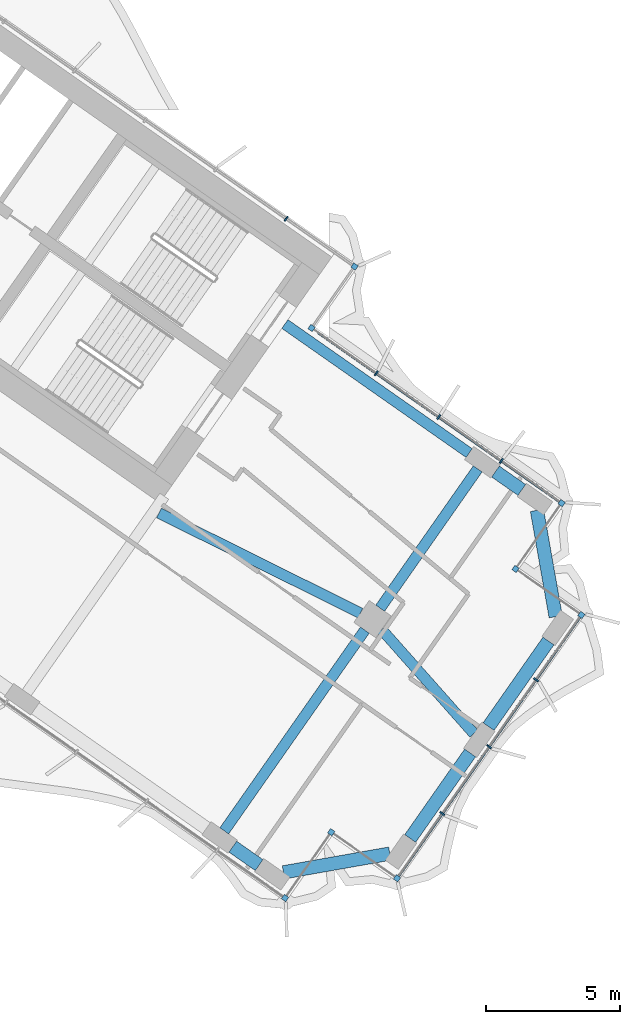
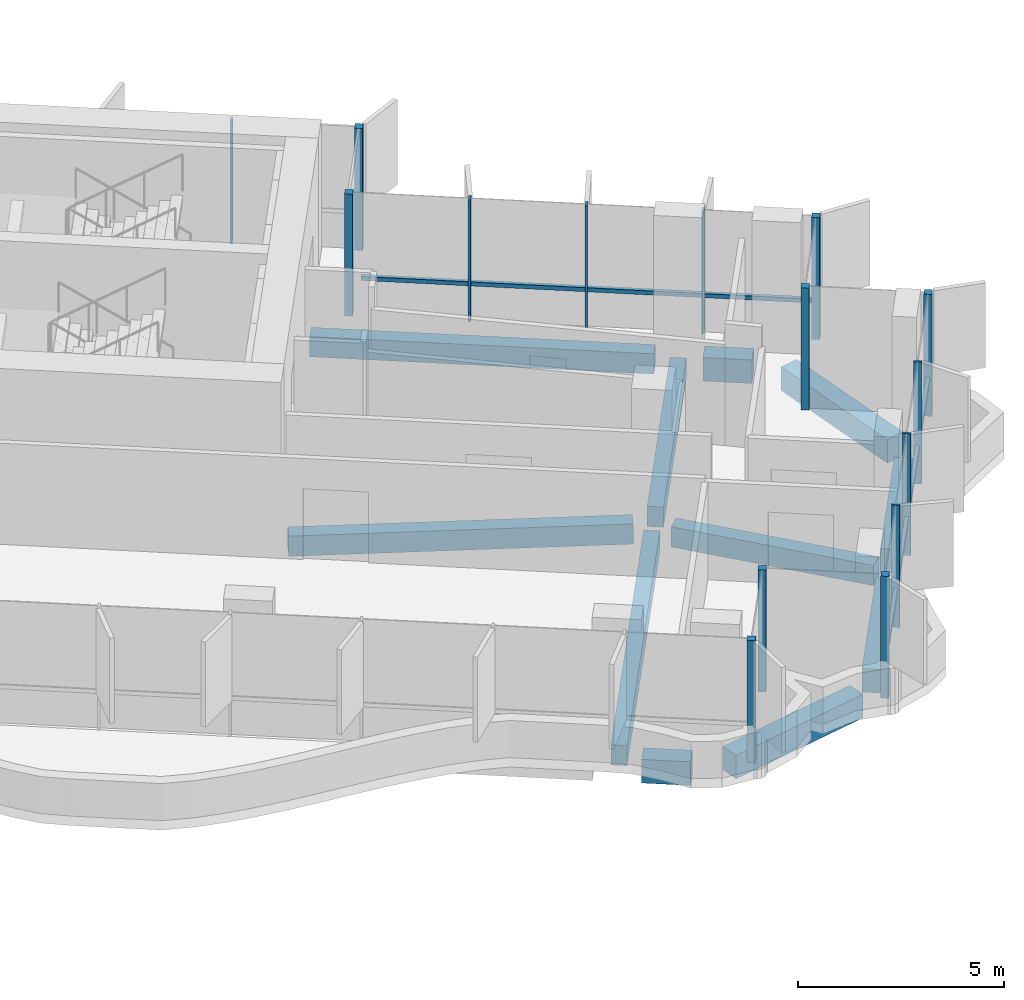
# One storey, part 9 of 21: 17 members, 11 beams, 2 elements without a shape of their own.
"""IFC4 building model written with IfcOpenShell, lengths in metres."""

from ifc_helpers import new_model, si_unit, direction, frame, origin, origin_2d, place, context, subcontext, project, spatial, rectangle, extrude, material, material_profile, profile_set, type_object, element, aggregate, save


model = new_model("IFC4")

# Units and contexts
model_context = context("Model", 3, precision=1e-05, world=origin(), true_north=direction((0.0, 1.0)))
body_context = subcontext(model_context, "Body", "Model", "MODEL_VIEW")
ifc_project = project(units=[si_unit("LENGTHUNIT", "METRE"), si_unit("AREAUNIT", "SQUARE_METRE"), si_unit("VOLUMEUNIT", "CUBIC_METRE"), si_unit("PLANEANGLEUNIT", "RADIAN"), si_unit("MASSUNIT", "GRAM", prefix="KILO")], contexts=[model_context])

# Site, building, storey
site_placement = place(None, origin())
site = spatial("IfcSite", under=ifc_project, at=site_placement, CompositionType="ELEMENT")
building_placement = place(site_placement, origin())
building = spatial("IfcBuilding", under=site, at=building_placement, Name="Tel Ilan Convention Tower", CompositionType="ELEMENT")
storey_placement = place(building_placement, frame((0.0, 0.0, 147.60009765625)))
storey = spatial("IfcBuildingStorey", under=building, at=storey_placement, Name="L33", CompositionType="ELEMENT", Elevation=147.60009765625)

# Beams
ifc_material_1 = material(Name="Concrete C40/50", Category="concrete")
ifc_material_profile_1 = material_profile(ifc_material_1, rectangle(XDim=0.39990234375, YDim=0.60009765625, at=origin_2d()), Name="RC 400x600")
ifc_profile_set_1 = profile_set([ifc_material_profile_1], Name="Concrete C40/50")
beam_type_1 = type_object("IfcBeamType", Name="Beam RC 400x600 Concrete C40/50", PredefinedType="BEAM", material=ifc_profile_set_1)
beam_1_placement = place(storey_placement, frame((33.09912109375, -14.44775390625, -0.580078125), z_axis=(-0.819147254605, 0.573583276668, 0.0), x_axis=(-0.573583276668, -0.819147254605, 0.0)))
element("IfcBeam", 1, at=beam_1_placement, inside=storey, type_object=beam_type_1, Name="L33 beam E-E-B4-core", PredefinedType="BEAM", context=body_context, shape_type="SweptSolid", body=[
    extrude(rectangle(XDim=0.39990234375, YDim=0.60009765625, at=origin_2d()), origin(), (0.0, 0.0, 1.0), 8.400146484375),
])
beam_2_placement = place(storey_placement, frame((21.52099609375, -16.686279296875, -0.580078125), z_axis=(0.895402365524, -0.445257907076, 0.0), x_axis=(0.445257907076, 0.895402365524, 0.0)))
element("IfcBeam", 2, at=beam_2_placement, inside=storey, type_object=beam_type_1, Name="L33 beam E-core-E-M4", PredefinedType="BEAM", context=body_context, shape_type="SweptSolid", body=[
    extrude(rectangle(XDim=0.39990234375, YDim=0.60009765625, at=origin_2d()), origin(), (0.0, 0.0, 1.0), 8.3935546875),
])
beam_3_placement = place(storey_placement, frame((29.830322265625, -21.03369140625, -0.580078125), z_axis=(0.663175252401, -0.748464150512, 0.0), x_axis=(0.748464150512, 0.663175252401, 0.0)))
element("IfcBeam", 3, at=beam_3_placement, inside=storey, type_object=beam_type_1, Name="L33 beam E-E-M4-end", PredefinedType="BEAM", context=body_context, shape_type="SweptSolid", body=[
    extrude(rectangle(XDim=0.39990234375, YDim=0.60009765625, at=origin_2d()), origin(), (0.0, 0.0, 1.0), 5.192626953125),
])
beam_4_placement = place(storey_placement, frame((29.20263671875, -21.058349609375, -0.580078125), z_axis=(-0.573557249804, -0.819165478519, 0.0), x_axis=(0.819165478519, -0.573557249804, 0.0)))
element("IfcBeam", 4, at=beam_4_placement, inside=storey, type_object=beam_type_1, Name="L33 beam E-E-M4-E-F4", PredefinedType="BEAM", context=body_context, shape_type="SweptSolid", body=[
    extrude(rectangle(XDim=0.39990234375, YDim=0.60009765625, at=origin_2d()), origin(), (0.0, 0.0, 1.0), 9.14990234375),
])
beam_5_placement = place(storey_placement, frame((29.7763671875, -20.2392578125, -0.580078125), z_axis=(0.573560394383, 0.819163276762, 0.0), x_axis=(-0.819163276762, 0.573560394383, 0.0)))
element("IfcBeam", 5, at=beam_5_placement, inside=storey, type_object=beam_type_1, Name="L33 beam E-E-M4-E-B4", PredefinedType="BEAM", context=body_context, shape_type="SweptSolid", body=[
    extrude(rectangle(XDim=0.39990234375, YDim=0.60009765625, at=origin_2d()), origin(), (0.0, 0.0, 1.0), 6.349853515625),
])
ifc_material_2 = material(Name="Concrete C40/50", Category="concrete")
ifc_material_profile_2 = material_profile(ifc_material_2, rectangle(XDim=0.5, YDim=0.699951171875, at=origin_2d()), Name="RC 500x700")
ifc_profile_set_2 = profile_set([ifc_material_profile_2], Name="Concrete C40/50")
beam_type_2 = type_object("IfcBeamType", Name="Beam RC 500x700 Concrete C40/50", PredefinedType="BEAM", material=ifc_profile_set_2)
beam_6_placement = place(storey_placement, frame((24.27392578125, -29.1435546875, -0.630126953125), z_axis=(0.819155442668, -0.573571582932, 0.0), x_axis=(0.573571582932, 0.819155442668, 0.0)))
element("IfcBeam", 6, at=beam_6_placement, inside=storey, type_object=beam_type_2, Name="L33 beam E-E-F4-E-FC", PredefinedType="BEAM", context=body_context, shape_type="SweptSolid", body=[
    extrude(rectangle(XDim=0.5, YDim=0.699951171875, at=origin_2d()), origin(), (0.0, 0.0, 1.0), 1.199951171875),
])
beam_7_placement = place(storey_placement, frame((26.166259765625, -30.102294921875, -0.630126953125), z_axis=(0.984804894423, 0.173664388751, 0.0), x_axis=(-0.173664388751, 0.984804894423, 0.0)))
element("IfcBeam", 7, at=beam_7_placement, inside=storey, type_object=beam_type_2, Name="L33 beam E-E-FC-E-E1", PredefinedType="BEAM", context=body_context, shape_type="SweptSolid", body=[
    extrude(rectangle(XDim=0.5, YDim=0.699951171875, at=origin_2d()), origin(), (0.0, 0.0, 1.0), 4.030517578125),
])
for number, where, z_axis, x_axis, name in (
    (8, (30.8974609375, -28.837158203125, -0.630126953125), (0.573609383536, 0.819128973434, 0.0), (-0.819128973434, 0.573609383536, 0.0), "L33 beam E-E-E1-E-E2"),
    (9, (33.82275390625, -24.659423828125, -0.630126953125), (0.573567378001, 0.81915838694, 0.0), (-0.81915838694, 0.573567378001, 0.0), "L33 beam E-E-E2-E-E3"),
):
    element("IfcBeam", number, at=place(storey_placement, frame(where, z_axis=z_axis, x_axis=x_axis)), inside=storey, type_object=beam_type_2, Name=name, PredefinedType="BEAM", context=body_context, shape_type="SweptSolid", body=[
        extrude(rectangle(XDim=0.5, YDim=0.699951171875, at=origin_2d()), origin(), (0.0, 0.0, 1.0), 3.89990234375),
    ])
beam_8_placement = place(storey_placement, frame((36.330078125, -20.555419921875, -0.630126953125), z_axis=(-0.173664388751, 0.984804894423, 0.0), x_axis=(-0.984804894423, -0.173664388751, 0.0)))
element("IfcBeam", 10, at=beam_8_placement, inside=storey, type_object=beam_type_2, Name="L33 beam E-E-E3-E-BC", PredefinedType="BEAM", context=body_context, shape_type="SweptSolid", body=[
    extrude(rectangle(XDim=0.5, YDim=0.699951171875, at=origin_2d()), origin(), (0.0, 0.0, 1.0), 4.030517578125),
])
beam_9_placement = place(storey_placement, frame((35.06494140625, -15.82421875, -0.630126953125), z_axis=(-0.819155442668, 0.573571582932, 0.0), x_axis=(-0.573571582932, -0.819155442668, 0.0)))
element("IfcBeam", 11, at=beam_9_placement, inside=storey, type_object=beam_type_2, Name="L33 beam E-E-BC-E-B4", PredefinedType="BEAM", context=body_context, shape_type="SweptSolid", body=[
    extrude(rectangle(XDim=0.5, YDim=0.699951171875, at=origin_2d()), origin(), (0.0, 0.0, 1.0), 1.199951171875),
])

# Curtain wall, members
ifc_material_3 = material(Name="Aluminium, bronze anodised", Category="aluminium")
curtain_wall_type_1 = type_object("IfcCurtainWallType", Name="CW2 STICK CURTAIN WALL, SPANDREL PANELS", PredefinedType="NOTDEFINED", material=ifc_material_3)
curtain_wall_1_placement = place(storey_placement, origin())
curtain_wall_1 = element("IfcCurtainWall", 12, at=curtain_wall_1_placement, inside=storey, type_object=curtain_wall_type_1, Name="Curtain wall CW2-27.01", PredefinedType="NOTDEFINED")
ifc_material_4 = material(Name="Aluminium, bronze anodised", Category="aluminium")
ifc_material_profile_3 = material_profile(ifc_material_4, rectangle(XDim=0.199951171875, YDim=0.199951171875, at=origin_2d()), Name="CW CORNER MULLION 200x200")
ifc_profile_set_3 = profile_set([ifc_material_profile_3], Name="Aluminium, bronze anodised")
member_type_1 = type_object("IfcMemberType", Name="CW CORNER MULLION 200x200", PredefinedType="MULLION", material=ifc_profile_set_3)
member_1_placement = place(storey_placement, frame((27.213623046875, -9.77734375, 0.0), z_axis=(0.0, 0.0, 1.0), x_axis=(-0.819152044289, 0.573576436351, 0.0)))
member_1 = element("IfcMember", 13, at=member_1_placement, type_object=member_type_1, Name="Corner mullion", PredefinedType="MULLION", context=body_context, shape_type="SweptSolid", body=[
    extrude(rectangle(XDim=0.199951171875, YDim=0.199951171875, at=origin_2d()), origin(), (0.0, 0.0, 1.0), 3.619873046875),
])
member_2_placement = place(storey_placement, frame((28.819580078125, -7.483642578125, 0.0), z_axis=(0.0, 0.0, 1.0), x_axis=(0.573576436351, 0.819152044289, 0.0)))
member_2 = element("IfcMember", 14, at=member_2_placement, type_object=member_type_1, Name="Corner mullion", PredefinedType="MULLION", context=body_context, shape_type="SweptSolid", body=[
    extrude(rectangle(XDim=0.199951171875, YDim=0.199951171875, at=origin_2d()), origin(), (0.0, 0.0, 1.0), 3.619873046875),
])

ifc_material_5 = material(Name="Aluminium, bronze anodised", Category="aluminium")
curtain_wall_type_2 = type_object("IfcCurtainWallType", Name="CW4 STICK CURTAIN WALL, OFFICE TINTED GLASS", PredefinedType="NOTDEFINED", material=ifc_material_5)
curtain_wall_2_placement = place(storey_placement, origin())
curtain_wall_2 = element("IfcCurtainWall", 15, at=curtain_wall_2_placement, inside=storey, type_object=curtain_wall_type_2, Name="Curtain wall CW4-27.02", PredefinedType="NOTDEFINED")
member_3_placement = place(storey_placement, frame((26.2275390625, -31.060791015625, 0.0), z_axis=(0.0, 0.0, 1.0), x_axis=(0.819152044289, -0.573576436351, 0.0)))
member_3 = element("IfcMember", 16, at=member_3_placement, type_object=member_type_1, Name="Corner mullion", PredefinedType="MULLION", context=body_context, shape_type="SweptSolid", body=[
    extrude(rectangle(XDim=0.199951171875, YDim=0.199951171875, at=origin_2d()), origin(), (0.0, 0.0, 1.0), 3.619873046875),
])
member_4_placement = place(storey_placement, frame((27.9482421875, -28.603271484375, 0.0), z_axis=(0.0, 0.0, 1.0), x_axis=(0.573576436351, 0.819152044289, 0.0)))
member_4 = element("IfcMember", 17, at=member_4_placement, type_object=member_type_1, Name="Corner mullion", PredefinedType="MULLION", context=body_context, shape_type="SweptSolid", body=[
    extrude(rectangle(XDim=0.199951171875, YDim=0.199951171875, at=origin_2d()), origin(), (0.0, 0.0, 1.0), 3.619873046875),
])
member_5_placement = place(storey_placement, frame((30.40576171875, -30.323974609375, 0.0), z_axis=(0.0, 0.0, 1.0), x_axis=(0.819152044289, -0.573576436351, 0.0)))
member_5 = element("IfcMember", 18, at=member_5_placement, type_object=member_type_1, Name="Corner mullion", PredefinedType="MULLION", context=body_context, shape_type="SweptSolid", body=[
    extrude(rectangle(XDim=0.199951171875, YDim=0.199951171875, at=origin_2d()), origin(), (0.0, 0.0, 1.0), 3.619873046875),
])
member_6_placement = place(storey_placement, frame((37.28857421875, -20.494140625, 0.0), z_axis=(0.0, 0.0, 1.0), x_axis=(0.573576436351, 0.819152044289, 0.0)))
member_6 = element("IfcMember", 19, at=member_6_placement, type_object=member_type_1, Name="Corner mullion", PredefinedType="MULLION", context=body_context, shape_type="SweptSolid", body=[
    extrude(rectangle(XDim=0.199951171875, YDim=0.199951171875, at=origin_2d()), origin(), (0.0, 0.0, 1.0), 3.619873046875),
])
member_7_placement = place(storey_placement, frame((34.8310546875, -18.7734375, 0.0), z_axis=(0.0, 0.0, 1.0), x_axis=(-0.819152044289, 0.573576436351, 0.0)))
member_7 = element("IfcMember", 20, at=member_7_placement, type_object=member_type_1, Name="Corner mullion", PredefinedType="MULLION", context=body_context, shape_type="SweptSolid", body=[
    extrude(rectangle(XDim=0.199951171875, YDim=0.199951171875, at=origin_2d()), origin(), (0.0, 0.0, 1.0), 3.619873046875),
])
member_8_placement = place(storey_placement, frame((36.5517578125, -16.31591796875, 0.0), z_axis=(0.0, 0.0, 1.0), x_axis=(0.573576436351, 0.819152044289, 0.0)))
member_8 = element("IfcMember", 21, at=member_8_placement, type_object=member_type_1, Name="Corner mullion", PredefinedType="MULLION", context=body_context, shape_type="SweptSolid", body=[
    extrude(rectangle(XDim=0.199951171875, YDim=0.199951171875, at=origin_2d()), origin(), (0.0, 0.0, 1.0), 3.619873046875),
])

# Member
ifc_material_6 = material(Name="Aluminium, bronze anodised", Category="aluminium")
ifc_material_profile_4 = material_profile(ifc_material_6, rectangle(XDim=0.06005859375, YDim=0.199951171875, at=origin_2d()), Name="CW MULLION 60x200")
ifc_profile_set_4 = profile_set([ifc_material_profile_4], Name="Aluminium, bronze anodised")
member_type_2 = type_object("IfcMemberType", Name="CW MULLION 60x200", PredefinedType="MULLION", material=ifc_profile_set_4)
member_9_placement = place(storey_placement, frame((26.268798828125, -5.697509765625, 0.0), z_axis=(0.0, 0.0, 1.0), x_axis=(-0.819152044289, 0.573576436351, 0.0)))
member_9 = element("IfcMember", 22, at=member_9_placement, type_object=member_type_2, Name="Mullion", PredefinedType="MULLION", context=body_context, shape_type="SweptSolid", body=[
    extrude(rectangle(XDim=0.06005859375, YDim=0.199951171875, at=origin_2d()), origin(), (0.0, 0.0, 1.0), 3.619873046875),
])

aggregate(curtain_wall_1, [member_1, member_2, member_9])

member_10_placement = place(storey_placement, frame((32.09765625, -27.907470703125, 0.0), z_axis=(0.0, 0.0, 1.0), x_axis=(0.573576436351, 0.819152044289, 0.0)))
member_10 = element("IfcMember", 23, at=member_10_placement, type_object=member_type_2, Name="Mullion", PredefinedType="MULLION", context=body_context, shape_type="SweptSolid", body=[
    extrude(rectangle(XDim=0.06005859375, YDim=0.199951171875, at=origin_2d()), origin(), (0.0, 0.0, 1.0), 3.619873046875),
])

member_11_placement = place(storey_placement, frame((33.84716796875, -25.4091796875, 0.0), z_axis=(0.0, 0.0, 1.0), x_axis=(0.573576436351, 0.819152044289, 0.0)))
member_11 = element("IfcMember", 24, at=member_11_placement, type_object=member_type_2, Name="Mullion", PredefinedType="MULLION", context=body_context, shape_type="SweptSolid", body=[
    extrude(rectangle(XDim=0.06005859375, YDim=0.199951171875, at=origin_2d()), origin(), (0.0, 0.0, 1.0), 3.619873046875),
])

member_12_placement = place(storey_placement, frame((35.596435546875, -22.91064453125, 0.0), z_axis=(0.0, 0.0, 1.0), x_axis=(0.573576436351, 0.819152044289, 0.0)))
member_12 = element("IfcMember", 25, at=member_12_placement, type_object=member_type_2, Name="Mullion", PredefinedType="MULLION", context=body_context, shape_type="SweptSolid", body=[
    extrude(rectangle(XDim=0.06005859375, YDim=0.199951171875, at=origin_2d()), origin(), (0.0, 0.0, 1.0), 3.619873046875),
])

member_13_placement = place(storey_placement, frame((34.299072265625, -14.73876953125, 0.0), z_axis=(0.0, 0.0, 1.0), x_axis=(-0.819152044289, 0.573576436351, 0.0)))
member_13 = element("IfcMember", 26, at=member_13_placement, type_object=member_type_2, Name="Mullion", PredefinedType="MULLION", context=body_context, shape_type="SweptSolid", body=[
    extrude(rectangle(XDim=0.06005859375, YDim=0.199951171875, at=origin_2d()), origin(), (0.0, 0.0, 1.0), 3.619873046875),
])

member_14_placement = place(storey_placement, frame((31.964599609375, -13.10400390625, 0.0), z_axis=(0.0, 0.0, 1.0), x_axis=(-0.819152044289, 0.573576436351, 0.0)))
member_14 = element("IfcMember", 27, at=member_14_placement, type_object=member_type_2, Name="Mullion", PredefinedType="MULLION", context=body_context, shape_type="SweptSolid", body=[
    extrude(rectangle(XDim=0.06005859375, YDim=0.199951171875, at=origin_2d()), origin(), (0.0, 0.0, 1.0), 3.619873046875),
])

member_15_placement = place(storey_placement, frame((29.630126953125, -11.46923828125, 0.0), z_axis=(0.0, 0.0, 1.0), x_axis=(-0.819152044289, 0.573576436351, 0.0)))
member_15 = element("IfcMember", 28, at=member_15_placement, type_object=member_type_2, Name="Mullion", PredefinedType="MULLION", context=body_context, shape_type="SweptSolid", body=[
    extrude(rectangle(XDim=0.06005859375, YDim=0.199951171875, at=origin_2d()), origin(), (0.0, 0.0, 1.0), 3.619873046875),
])

ifc_material_7 = material(Name="Aluminium, bronze anodised", Category="aluminium")
ifc_material_profile_5 = material_profile(ifc_material_7, rectangle(XDim=0.10009765625, YDim=0.1201171875, at=origin_2d()), Name="CW TRANSOM 100x120")
ifc_profile_set_5 = profile_set([ifc_material_profile_5], Name="Aluminium, bronze anodised")
member_type_3 = type_object("IfcMemberType", Name="CW TRANSOM 100x120", PredefinedType="USERDEFINED", material=ifc_profile_set_5)
member_16_placement = place(storey_placement, frame((30.463134765625, -30.2421875, 1.099853515625), z_axis=(0.573567872435, 0.819158040741, 0.0), x_axis=(-0.819158040741, 0.573567872435, 0.0)))
member_16 = element("IfcMember", 29, at=member_16_placement, type_object=member_type_3, Name="Transom", ObjectType="TRANSOM", PredefinedType="USERDEFINED", context=body_context, shape_type="SweptSolid", body=[
    extrude(rectangle(XDim=0.10009765625, YDim=0.1201171875, at=origin_2d()), origin(), (0.0, 0.0, 1.0), 11.800048828125),
])

member_17_placement = place(storey_placement, frame((36.469970703125, -16.258544921875, 1.099853515625), z_axis=(-0.819154753687, 0.57357256691, 0.0), x_axis=(-0.57357256691, -0.819154753687, 0.0)))
member_17 = element("IfcMember", 30, at=member_17_placement, type_object=member_type_3, Name="Transom", ObjectType="TRANSOM", PredefinedType="USERDEFINED", context=body_context, shape_type="SweptSolid", body=[
    extrude(rectangle(XDim=0.10009765625, YDim=0.1201171875, at=origin_2d()), origin(), (0.0, 0.0, 1.0), 11.0),
])

aggregate(curtain_wall_2, [member_3, member_4, member_5, member_10, member_11, member_12, member_6, member_16, member_7, member_8, member_13, member_14, member_15, member_17])

save(model, "model.ifc")
